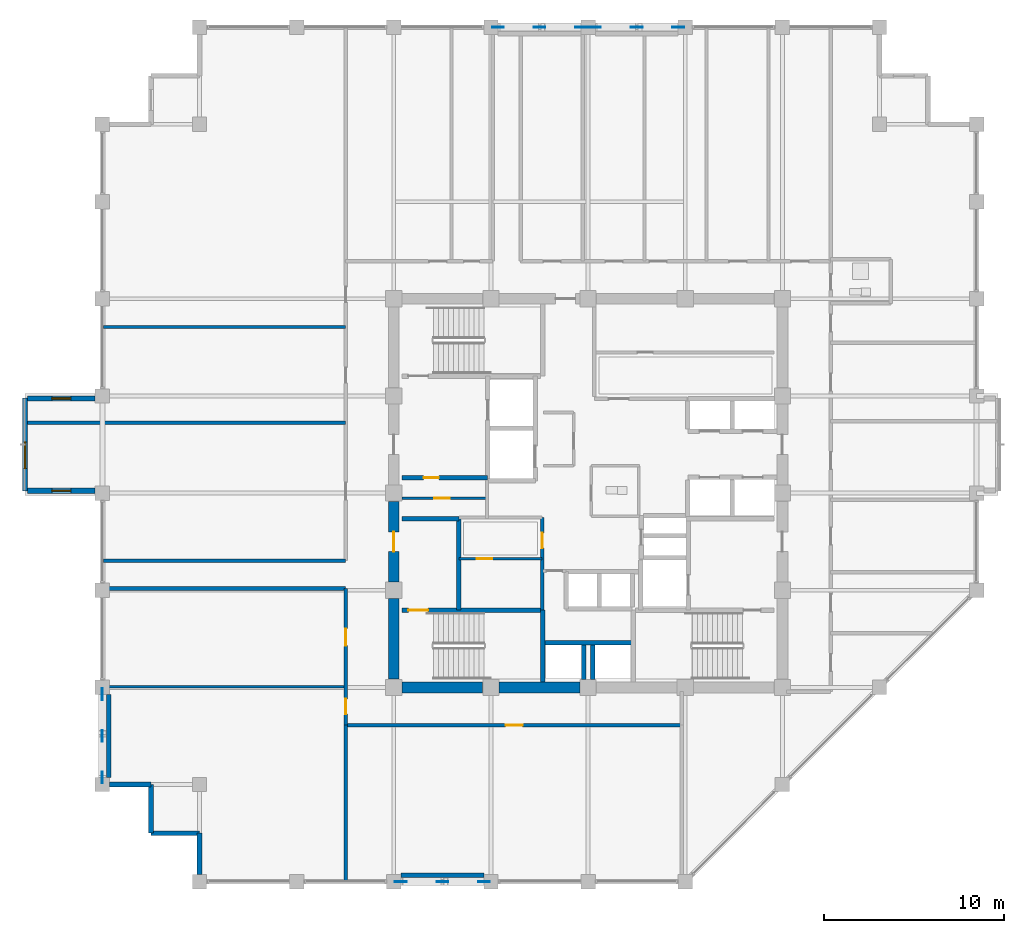
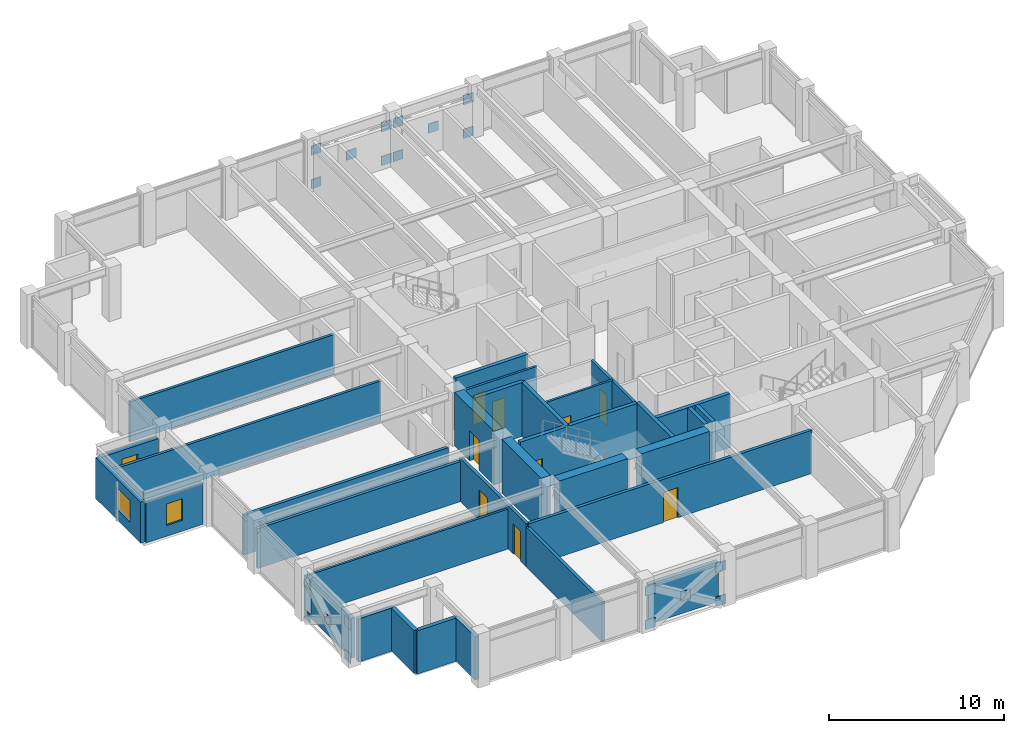
# One storey, part 22 of 28: 32 walls, 20 plates, 9 doors, 3 windows, 12 openings.
"""IFC4 building model written with IfcOpenShell, lengths in metres."""

from ifc_helpers import new_model, si_unit, direction, frame, frame_2d, origin, origin_2d, place, context, subcontext, project, spatial, rectangle, extrude, material, layer, layer_set, type_object, element, fill, save


model = new_model("IFC4")

# Units and contexts
model_context = context("Model", 3, precision=1e-05, world=origin(), true_north=direction((0.0, 1.0)))
body_context = subcontext(model_context, "Body", "Model", "MODEL_VIEW")
ifc_project = project(units=[si_unit("LENGTHUNIT", "METRE"), si_unit("AREAUNIT", "SQUARE_METRE"), si_unit("VOLUMEUNIT", "CUBIC_METRE"), si_unit("PLANEANGLEUNIT", "RADIAN"), si_unit("MASSUNIT", "GRAM", prefix="KILO")], contexts=[model_context])

# Site, building, storey
site_placement = place(None, origin())
site = spatial("IfcSite", under=ifc_project, at=site_placement, CompositionType="ELEMENT")
building_placement = place(site_placement, origin())
building = spatial("IfcBuilding", under=site, at=building_placement, Name="Surkhivell Harbour Commons", CompositionType="ELEMENT")
storey_placement = place(building_placement, frame((0.0, 0.0, 242.25)))
storey = spatial("IfcBuildingStorey", under=building, at=storey_placement, Name="L63", CompositionType="ELEMENT", Elevation=242.25)

# Plates
ifc_material_1 = material(Name="Steel S460", Category="steel")
ifc_layer_1 = layer(ifc_material_1, 0.044921875)
ifc_layer_set_1 = layer_set([ifc_layer_1], Name="Steel S460")
plate_type = type_object("IfcPlateType", Name="PLT-GUS-650", PredefinedType="USERDEFINED", material=ifc_layer_set_1)
for number, where, z_axis, x_axis, name in (
    (1, (-5.014892578125, 25.89990234375, -0.08935546875), (0.0, 0.0, 1.0), (1.0, 0.0, 0.0), "L63 Perimeter Mega-Brace MB- Corner Gusset N-1"),
    (2, (-0.385009765625, 25.89990234375, -0.08935546875), (0.0, 0.0, 1.0), (1.0, 0.0, 0.0), "L63 Perimeter Mega-Brace MB- Corner Gusset N-2"),
    (3, (-5.014892578125, 25.89990234375, 2.25146484375), (0.0, 0.0, 1.0), (1.0, 0.0, 0.0), "L63 Perimeter Mega-Brace MB- Corner Gusset N-3"),
    (4, (-0.385009765625, 25.89990234375, 2.25146484375), (0.0, 0.0, 1.0), (1.0, 0.0, 0.0), "L63 Perimeter Mega-Brace MB- Corner Gusset N-4"),
    (5, (-2.699951171875, 25.89990234375, 1.0810546875), (0.0, 0.0, 1.0), (1.0, 0.0, 0.0), "L63 Perimeter Mega-Brace MB- Central Crossing Gusset N"),
    (6, (0.385009765625, 25.89990234375, -0.08935546875), (0.0, 0.0, 1.0), (1.0, 0.0, 0.0), "L63 Perimeter Mega-Brace MB- Corner Gusset N2-1"),
    (7, (5.014892578125, 25.89990234375, -0.08935546875), (0.0, 0.0, 1.0), (1.0, 0.0, 0.0), "L63 Perimeter Mega-Brace MB- Corner Gusset N2-2"),
    (8, (0.385009765625, 25.89990234375, 2.25146484375), (0.0, 0.0, 1.0), (1.0, 0.0, 0.0), "L63 Perimeter Mega-Brace MB- Corner Gusset N2-3"),
    (9, (5.014892578125, 25.89990234375, 2.25146484375), (0.0, 0.0, 1.0), (1.0, 0.0, 0.0), "L63 Perimeter Mega-Brace MB- Corner Gusset N2-4"),
    (10, (2.699951171875, 25.89990234375, 1.0810546875), (0.0, 0.0, 1.0), (1.0, 0.0, 0.0), "L63 Perimeter Mega-Brace MB- Central Crossing Gusset N2"),
    (11, (-10.4150390625, -21.60009765625, -0.08935546875), (0.0, 0.0, 1.0), (1.0, 0.0, 0.0), "L63 Perimeter Mega-Brace MB- Corner Gusset S-1"),
    (12, (-5.784912109375, -21.60009765625, -0.08935546875), (0.0, 0.0, 1.0), (1.0, 0.0, 0.0), "L63 Perimeter Mega-Brace MB- Corner Gusset S-2"),
    (13, (-10.4150390625, -21.60009765625, 2.25146484375), (0.0, 0.0, 1.0), (1.0, 0.0, 0.0), "L63 Perimeter Mega-Brace MB- Corner Gusset S-3"),
    (14, (-5.784912109375, -21.60009765625, 2.25146484375), (0.0, 0.0, 1.0), (1.0, 0.0, 0.0), "L63 Perimeter Mega-Brace MB- Corner Gusset S-4"),
    (15, (-8.10009765625, -21.60009765625, 1.0810546875), (0.0, 0.0, 1.0), (1.0, 0.0, 0.0), "L63 Perimeter Mega-Brace MB- Central Crossing Gusset S"),
    (16, (-27.0, -15.81494140625, -0.08935546875), (0.0, 0.0, 1.0), (0.0, 1.0, 0.0), "L63 Perimeter Mega-Brace MB- Corner Gusset W-1"),
    (17, (-27.0, -11.18505859375, -0.08935546875), (0.0, 0.0, 1.0), (0.0, 1.0, 0.0), "L63 Perimeter Mega-Brace MB- Corner Gusset W-2"),
    (18, (-27.0, -15.81494140625, 2.25146484375), (0.0, 0.0, 1.0), (0.0, 1.0, 0.0), "L63 Perimeter Mega-Brace MB- Corner Gusset W-3"),
    (19, (-27.0, -11.18505859375, 2.25146484375), (0.0, 0.0, 1.0), (0.0, 1.0, 0.0), "L63 Perimeter Mega-Brace MB- Corner Gusset W-4"),
    (20, (-27.0, -13.5, 1.0810546875), (0.0, 0.0, 1.0), (0.0, 1.0, 0.0), "L63 Perimeter Mega-Brace MB- Central Crossing Gusset W"),
):
    element("IfcPlate", number, at=place(storey_placement, frame(where, z_axis=z_axis, x_axis=x_axis)), inside=storey, type_object=plate_type, Name=name, ObjectType="GUSSET_PLATE", PredefinedType="USERDEFINED", context=body_context, shape_type="SweptSolid", body=[
        extrude(rectangle(XDim=0.64990234375, YDim=0.044921875, at=origin_2d()), origin(), (0.0, 0.0, 1.0), 0.64990234375),
    ])

# Walls
ifc_material_2 = material(Name="Concrete C60/75", Category="concrete")
ifc_layer_2 = layer(ifc_material_2, 0.60009765625)
ifc_layer_set_2 = layer_set([ifc_layer_2], Name="Concrete C60/75")
wall_type_1 = type_object("IfcWallType", Name="WAL-CORE-600", PredefinedType="SHEAR", material=ifc_layer_set_2)
for number, where, z_axis, x_axis, name in (
    (21, (-10.340087890625, -10.800048828125, 0.0), (0.0, 0.0, 1.0), (1.0, 0.0, 0.0), "L63 Core Shear Wall South 1"),
    (22, (-10.800048828125, -10.340087890625, 0.0), (0.0, 0.0, 1.0), (0.0, 1.0, 0.0), "L63 Core Shear Wall West 1"),
    (23, (-4.93994140625, -10.800048828125, 0.0), (0.0, 0.0, 1.0), (1.0, 0.0, 0.0), "L63 Core Shear Wall South 2"),
):
    element("IfcWall", number, at=place(storey_placement, frame(where, z_axis=z_axis, x_axis=x_axis)), inside=storey, type_object=wall_type_1, Name=name, PredefinedType="SHEAR", context=body_context, shape_type="SweptSolid", body=[
        extrude(rectangle(XDim=4.47998046875, YDim=0.60009765625, at=frame_2d((2.239990234375, 0.0))), origin(), (0.0, 0.0, 1.0), 3.75),
    ])

# Wall, opening, door
wall_1_placement = place(storey_placement, frame((-10.800048828125, -4.93994140625, 0.0), z_axis=(0.0, 0.0, 1.0), x_axis=(0.0, 1.0, 0.0)))
wall_1 = element("IfcWall", 24, at=wall_1_placement, inside=storey, type_object=wall_type_1, Name="L63 Core Shear Wall West 2", PredefinedType="SHEAR", context=body_context, shape_type="SweptSolid", body=[
    extrude(rectangle(XDim=4.47998046875, YDim=0.60009765625, at=frame_2d((2.239990234375, 0.0))), origin(), (0.0, 0.0, 1.0), 3.75),
])
opening_1_placement = place(wall_1_placement, frame((1.68994140625, 0.0, 0.0)))
opening_1 = element("IfcOpeningElement", 25, at=opening_1_placement, cuts=wall_1, Name="Opening ID-2", PredefinedType="OPENING", context=body_context, shape_type="SweptSolid", body=[
    extrude(rectangle(XDim=1.10009765625, YDim=2.10009765625, at=frame_2d((0.550048828125, 1.050048828125))), frame((0.0, 0.31005859375, 0.0), z_axis=(0.0, -1.0, 0.0), x_axis=(1.0, 0.0, 0.0)), (0.0, 0.0, 1.0), 0.6201171875),
])
ifc_material_3 = material(Name="Hardwood-veneered fire-rated door leaf", Category="wood")
door_type_1 = type_object("IfcDoorType", Name="DOR-FD60-1100", OperationType="NOTDEFINED", PredefinedType="DOOR", material=ifc_material_3)
door_1_placement = place(opening_1_placement, origin())
door_1 = element("IfcDoor", 26, at=door_1_placement, inside=storey, type_object=door_type_1, Name="L63 Stair 3 Lobby Corridor Door", OperationType="SINGLE_SWING_LEFT", OverallHeight=2.10009765625, OverallWidth=1.10009765625, PredefinedType="DOOR", context=body_context, shape_type="SweptSolid", body=[
    extrude(rectangle(XDim=1.10009765625, YDim=2.10009765625, at=frame_2d((0.550048828125, 1.050048828125))), frame((0.0, 0.02490234375, 0.0), z_axis=(0.0, -1.0, 0.0), x_axis=(1.0, 0.0, 0.0)), (0.0, 0.0, 1.0), 0.050048828125),
])
fill(opening_1, door_1)

# Wall, opening, window
ifc_material_4 = material(Name="Flemish-bond kiln brick and precast concrete C45/55", Category="masonry")
ifc_layer_3 = layer(ifc_material_4, 0.300048828125)
ifc_layer_set_3 = layer_set([ifc_layer_3], Name="Flemish-bond kiln brick and precast concrete C45/55")
wall_type_2 = type_object("IfcWallType", Name="WAL-EXT-BRK300", PredefinedType="STANDARD", material=ifc_layer_set_3)
wall_2_placement = place(storey_placement, frame((-31.300048828125, 5.280029296875, 0.0), z_axis=(0.0, 0.0, 1.0), x_axis=(0.0, -1.0, 0.0)))
wall_2 = element("IfcWall", 27, at=wall_2_placement, inside=storey, type_object=wall_type_2, Name="L63 Coloured Box Front Wall 02", PredefinedType="STANDARD", context=body_context, shape_type="SweptSolid", body=[
    extrude(rectangle(XDim=5.159912109375, YDim=0.300048828125, at=frame_2d((2.580078125, 0.0))), origin(), (0.0, 0.0, 1.0), 2.85693359375),
])
opening_2_placement = place(wall_2_placement, frame((2.425048828125, 0.0, 0.75)))
opening_2 = element("IfcOpeningElement", 28, at=opening_2_placement, cuts=wall_2, Name="Opening WN-13", PredefinedType="OPENING", context=body_context, shape_type="SweptSolid", body=[
    extrude(rectangle(XDim=1.5, YDim=1.5, at=frame_2d((0.75, 0.75))), frame((0.0, 0.159912109375, 0.0), z_axis=(0.0, -1.0, 0.0), x_axis=(1.0, 0.0, 0.0)), (0.0, 0.0, 1.0), 0.320068359375),
])
ifc_material_5 = material(Name="Thermal-break aluminium frame and double low-E glazing", Category="aluminium")
window_type_1 = type_object("IfcWindowType", Name="WIN-BOX-1500x1500", PartitioningType="SINGLE_PANEL", PredefinedType="WINDOW", material=ifc_material_5)
window_1_placement = place(opening_2_placement, origin())
window_1 = element("IfcWindow", 29, at=window_1_placement, inside=storey, type_object=window_type_1, Name="L63 Coloured Box Square Window 02-1", OverallHeight=1.5, OverallWidth=1.5, PartitioningType="SINGLE_PANEL", PredefinedType="WINDOW", context=body_context, shape_type="SweptSolid", body=[
    extrude(rectangle(XDim=1.5, YDim=1.5, at=frame_2d((0.75, 0.75))), frame((0.0, 0.030029296875, 0.0), z_axis=(0.0, -1.0, 0.0), x_axis=(1.0, 0.0, 0.0)), (0.0, 0.0, 1.0), 0.06005859375),
])
fill(opening_2, window_1)

wall_3_placement = place(storey_placement, frame((-31.159912109375, 0.139892578125, 0.0), z_axis=(0.0, 0.0, 1.0), x_axis=(1.0, 0.0, 0.0)))
wall_3 = element("IfcWall", 30, at=wall_3_placement, inside=storey, type_object=wall_type_2, Name="L63 Coloured Box Return Wall 02S", PredefinedType="STANDARD", context=body_context, shape_type="SweptSolid", body=[
    extrude(rectangle(XDim=3.755859375, YDim=0.300048828125, at=frame_2d((1.8779296875, 0.0))), origin(), (0.0, 0.0, 1.0), 2.85693359375),
])
opening_3_placement = place(wall_3_placement, frame((1.35302734375, 0.0, 0.75)))
opening_3 = element("IfcOpeningElement", 31, at=opening_3_placement, cuts=wall_3, Name="Opening WN-11", PredefinedType="OPENING", context=body_context, shape_type="SweptSolid", body=[
    extrude(rectangle(XDim=1.050048828125, YDim=1.5, at=frame_2d((0.52490234375, 0.75))), frame((0.0, 0.159912109375, 0.0), z_axis=(0.0, -1.0, 0.0), x_axis=(1.0, 0.0, 0.0)), (0.0, 0.0, 1.0), 0.320068359375),
])
window_type_2 = type_object("IfcWindowType", Name="WIN-SER-1050x1500", PartitioningType="SINGLE_PANEL", PredefinedType="WINDOW", material=ifc_material_5)
window_2_placement = place(opening_3_placement, origin())
window_2 = element("IfcWindow", 32, at=window_2_placement, inside=storey, type_object=window_type_2, Name="L63 Coloured Box Return Window 02S", OverallHeight=1.5, OverallWidth=1.050048828125, PartitioningType="SINGLE_PANEL", PredefinedType="WINDOW", context=body_context, shape_type="SweptSolid", body=[
    extrude(rectangle(XDim=1.050048828125, YDim=1.5, at=frame_2d((0.52490234375, 0.75))), frame((0.0, 0.030029296875, 0.0), z_axis=(0.0, -1.0, 0.0), x_axis=(1.0, 0.0, 0.0)), (0.0, 0.0, 1.0), 0.06005859375),
])
fill(opening_3, window_2)

wall_4_placement = place(storey_placement, frame((-31.159912109375, 5.260009765625, 0.0), z_axis=(0.0, 0.0, 1.0), x_axis=(1.0, 0.0, 0.0)))
wall_4 = element("IfcWall", 33, at=wall_4_placement, inside=storey, type_object=wall_type_2, Name="L63 Coloured Box Return Wall 02N", PredefinedType="STANDARD", context=body_context, shape_type="SweptSolid", body=[
    extrude(rectangle(XDim=3.755859375, YDim=0.300048828125, at=frame_2d((1.8779296875, 0.0))), origin(), (0.0, 0.0, 1.0), 2.85693359375),
])
opening_4_placement = place(wall_4_placement, frame((1.35302734375, 0.0, 0.75)))
opening_4 = element("IfcOpeningElement", 34, at=opening_4_placement, cuts=wall_4, Name="Opening WN-11", PredefinedType="OPENING", context=body_context, shape_type="SweptSolid", body=[
    extrude(rectangle(XDim=1.050048828125, YDim=1.5, at=frame_2d((0.52490234375, 0.75))), frame((0.0, 0.159912109375, 0.0), z_axis=(0.0, -1.0, 0.0), x_axis=(1.0, 0.0, 0.0)), (0.0, 0.0, 1.0), 0.320068359375),
])
window_3_placement = place(opening_4_placement, origin())
window_3 = element("IfcWindow", 35, at=window_3_placement, inside=storey, type_object=window_type_2, Name="L63 Coloured Box Return Window 02N", OverallHeight=1.5, OverallWidth=1.050048828125, PartitioningType="SINGLE_PANEL", PredefinedType="WINDOW", context=body_context, shape_type="SweptSolid", body=[
    extrude(rectangle(XDim=1.050048828125, YDim=1.5, at=frame_2d((0.52490234375, 0.75))), frame((0.0, 0.030029296875, 0.0), z_axis=(0.0, -1.0, 0.0), x_axis=(1.0, 0.0, 0.0)), (0.0, 0.0, 1.0), 0.06005859375),
])
fill(opening_4, window_3)

# Walls
ifc_material_6 = material(Name="Pale-metal insulated precast concrete C45/55", Category="concrete")
ifc_layer_4 = layer(ifc_material_6, 0.260009765625)
ifc_layer_set_4 = layer_set([ifc_layer_4], Name="Pale-metal insulated precast concrete C45/55")
wall_type_3 = type_object("IfcWallType", Name="WAL-EXT-MTL260", PredefinedType="STANDARD", material=ifc_layer_set_4)
for number, where, z_axis, x_axis, name in (
    (36, (-10.402099609375, -21.239990234375, 0.0), (0.0, 0.0, 1.0), (1.0, 0.0, 0.0), "L63 Braced-Bay Insulated Spandrel Backing S"),
    (37, (-26.639892578125, -15.802001953125, 0.0), (0.0, 0.0, 1.0), (0.0, 1.0, 0.0), "L63 Braced-Bay Insulated Spandrel Backing W"),
):
    element("IfcWall", number, at=place(storey_placement, frame(where, z_axis=z_axis, x_axis=x_axis)), inside=storey, type_object=wall_type_3, Name=name, PredefinedType="STANDARD", context=body_context, shape_type="SweptSolid", body=[
        extrude(rectangle(XDim=4.60400390625, YDim=0.260009765625, at=frame_2d((2.302001953125, 0.0))), origin(), (0.0, 0.0, 1.0), 2.780029296875),
    ])
wall_5_placement = place(storey_placement, frame((-26.60205078125, -16.199951171875, 0.0), z_axis=(0.0, 0.0, 1.0), x_axis=(1.0, 0.0, 0.0)))
element("IfcWall", 38, at=wall_5_placement, inside=storey, type_object=wall_type_3, Name="L63 Serrated Corner Facade Wall 13", PredefinedType="STANDARD", context=body_context, shape_type="SweptSolid", body=[
    extrude(rectangle(XDim=2.302001953125, YDim=0.260009765625, at=frame_2d((1.15087890625, 0.0))), origin(), (0.0, 0.0, 1.0), 3.006103515625),
])
for number, where, z_axis, x_axis, name in (
    (39, (-24.300048828125, -16.199951171875, 0.0), (0.0, 0.0, 1.0), (0.0, -1.0, 0.0), "L63 Serrated Corner Facade Wall 14"),
    (40, (-24.300048828125, -18.89990234375, 0.0), (0.0, 0.0, 1.0), (1.0, 0.0, 0.0), "L63 Serrated Corner Facade Wall 15"),
):
    element("IfcWall", number, at=place(storey_placement, frame(where, z_axis=z_axis, x_axis=x_axis)), inside=storey, type_object=wall_type_3, Name=name, PredefinedType="STANDARD", context=body_context, shape_type="SweptSolid", body=[
        extrude(rectangle(XDim=2.699951171875, YDim=0.260009765625, at=frame_2d((1.35009765625, 0.0))), origin(), (0.0, 0.0, 1.0), 3.006103515625),
    ])
wall_6_placement = place(storey_placement, frame((-21.60009765625, -18.89990234375, 0.0), z_axis=(0.0, 0.0, 1.0), x_axis=(0.0, -1.0, 0.0)))
element("IfcWall", 41, at=wall_6_placement, inside=storey, type_object=wall_type_3, Name="L63 Serrated Corner Facade Wall 16", PredefinedType="STANDARD", context=body_context, shape_type="SweptSolid", body=[
    extrude(rectangle(XDim=2.302001953125, YDim=0.260009765625, at=frame_2d((1.15087890625, 0.0))), origin(), (0.0, 0.0, 1.0), 3.006103515625),
])

# Wall, opening, door
ifc_material_7 = material(Name="Twin-stud acoustic fireboard partition", Category="other")
ifc_layer_5 = layer(ifc_material_7, 0.14990234375)
ifc_layer_set_5 = layer_set([ifc_layer_5], Name="Twin-stud acoustic fireboard partition")
wall_type_4 = type_object("IfcWallType", Name="WAL-INT-150", PredefinedType="PARTITIONING", material=ifc_layer_set_5)
wall_7_placement = place(storey_placement, frame((-7.179931640625, -3.64990234375, 0.0), z_axis=(0.0, 0.0, 1.0), x_axis=(1.0, 0.0, 0.0)))
wall_7 = element("IfcWall", 42, at=wall_7_placement, inside=storey, type_object=wall_type_4, Name="L63 Core Cut C1 Partition", PredefinedType="PARTITIONING", context=body_context, shape_type="SweptSolid", body=[
    extrude(rectangle(XDim=4.6298828125, YDim=0.14990234375, at=frame_2d((2.31494140625, 0.0))), origin(), (0.0, 0.0, 1.0), 3.570068359375),
])
opening_5_placement = place(wall_7_placement, frame((1.0, 0.0, 0.0)))
opening_5 = element("IfcOpeningElement", 43, at=opening_5_placement, cuts=wall_7, Name="Opening ID-6", PredefinedType="OPENING", context=body_context, shape_type="SweptSolid", body=[
    extrude(rectangle(XDim=0.85009765625, YDim=2.10009765625, at=frame_2d((0.425048828125, 1.050048828125))), frame((0.0, 0.0849609375, 0.0), z_axis=(0.0, -1.0, 0.0), x_axis=(1.0, 0.0, 0.0)), (0.0, 0.0, 1.0), 0.169921875),
])
door_type_2 = type_object("IfcDoorType", Name="DOR-FD30-850", OperationType="NOTDEFINED", PredefinedType="DOOR", material=ifc_material_3)
door_2_placement = place(opening_5_placement, origin())
door_2 = element("IfcDoor", 44, at=door_2_placement, inside=storey, type_object=door_type_2, Name="L63 Cleaner Room Door", OperationType="SINGLE_SWING_LEFT", OverallHeight=2.10009765625, OverallWidth=0.85009765625, PredefinedType="DOOR", context=body_context, shape_type="SweptSolid", body=[
    extrude(rectangle(XDim=0.85009765625, YDim=2.10009765625, at=frame_2d((0.425048828125, 1.050048828125))), frame((0.0, 0.02490234375, 0.0), z_axis=(0.0, -1.0, 0.0), x_axis=(1.0, 0.0, 0.0)), (0.0, 0.0, 1.0), 0.050048828125),
])
fill(opening_5, door_2)

wall_8_placement = place(storey_placement, frame((-10.340087890625, -0.2900390625, 0.0), z_axis=(0.0, 0.0, 1.0), x_axis=(1.0, 0.0, 0.0)))
wall_8 = element("IfcWall", 45, at=wall_8_placement, inside=storey, type_object=wall_type_4, Name="L63 West Core Horizontal Cut", PredefinedType="PARTITIONING", context=body_context, shape_type="SweptSolid", body=[
    extrude(rectangle(XDim=4.719970703125, YDim=0.14990234375, at=frame_2d((2.35986328125, 0.0))), origin(), (0.0, 0.0, 1.0), 3.570068359375),
])
opening_6_placement = place(wall_8_placement, frame((1.800048828125, 0.0, 0.0)))
opening_6 = element("IfcOpeningElement", 46, at=opening_6_placement, cuts=wall_8, Name="Opening ID-6", PredefinedType="OPENING", context=body_context, shape_type="SweptSolid", body=[
    extrude(rectangle(XDim=0.85009765625, YDim=2.10009765625, at=frame_2d((0.425048828125, 1.050048828125))), frame((0.0, 0.0849609375, 0.0), z_axis=(0.0, -1.0, 0.0), x_axis=(1.0, 0.0, 0.0)), (0.0, 0.0, 1.0), 0.169921875),
])
door_3_placement = place(opening_6_placement, origin())
door_3 = element("IfcDoor", 47, at=door_3_placement, inside=storey, type_object=door_type_2, Name="L63 West Music Pod Door", OperationType="SINGLE_SWING_RIGHT", OverallHeight=2.10009765625, OverallWidth=0.85009765625, PredefinedType="DOOR", context=body_context, shape_type="SweptSolid", body=[
    extrude(rectangle(XDim=0.85009765625, YDim=2.10009765625, at=frame_2d((0.425048828125, 1.050048828125))), frame((0.0, 0.02490234375, 0.0), z_axis=(0.0, -1.0, 0.0), x_axis=(1.0, 0.0, 0.0)), (0.0, 0.0, 1.0), 0.050048828125),
])
fill(opening_6, door_3)

# Wall
wall_9_placement = place(storey_placement, frame((-26.93994140625, -10.77001953125, 0.0), z_axis=(0.0, 0.0, 1.0), x_axis=(1.0, 0.0, 0.0)))
element("IfcWall", 48, at=wall_9_placement, inside=storey, type_object=wall_type_4, Name="L63 South-West Partition P1", PredefinedType="PARTITIONING", context=body_context, shape_type="SweptSolid", body=[
    extrude(rectangle(XDim=13.4599609375, YDim=0.14990234375, at=frame_2d((6.72998046875, 0.0))), origin(), (0.0, 0.0, 1.0), 2.780029296875),
])

# Wall, opening, door
ifc_material_8 = material(Name="High-density acoustic blockwork fire partition", Category="masonry")
ifc_layer_6 = layer(ifc_material_8, 0.175048828125)
ifc_layer_set_6 = layer_set([ifc_layer_6], Name="High-density acoustic blockwork fire partition")
wall_type_5 = type_object("IfcWallType", Name="WAL-INT-175", PredefinedType="PARTITIONING", material=ifc_layer_set_6)
wall_10_placement = place(storey_placement, frame((-2.550048828125, -6.510009765625, 0.0), z_axis=(0.0, 0.0, 1.0), x_axis=(0.0, 1.0, 0.0)))
wall_10 = element("IfcWall", 49, at=wall_10_placement, inside=storey, type_object=wall_type_5, Name="L63 Core Service Bay East Wall", PredefinedType="PARTITIONING", context=body_context, shape_type="SweptSolid", body=[
    extrude(rectangle(XDim=5.159912109375, YDim=0.175048828125, at=frame_2d((2.580078125, 0.0))), origin(), (0.0, 0.0, 1.0), 3.570068359375),
])
opening_7_placement = place(wall_10_placement, frame((3.449951171875, 0.0, 0.0)))
opening_7 = element("IfcOpeningElement", 50, at=opening_7_placement, cuts=wall_10, Name="Opening ID-6", PredefinedType="OPENING", context=body_context, shape_type="SweptSolid", body=[
    extrude(rectangle(XDim=0.85009765625, YDim=2.10009765625, at=frame_2d((0.425048828125, 1.050048828125))), frame((0.0, 0.097412109375, 0.0), z_axis=(0.0, -1.0, 0.0), x_axis=(1.0, 0.0, 0.0)), (0.0, 0.0, 1.0), 0.195068359375),
])
door_4_placement = place(opening_7_placement, origin())
door_4 = element("IfcDoor", 51, at=door_4_placement, inside=storey, type_object=door_type_2, Name="L63 Core Seminar Door", OperationType="SINGLE_SWING_LEFT", OverallHeight=2.10009765625, OverallWidth=0.85009765625, PredefinedType="DOOR", context=body_context, shape_type="SweptSolid", body=[
    extrude(rectangle(XDim=0.85009765625, YDim=2.10009765625, at=frame_2d((0.425048828125, 1.050048828125))), frame((0.0, 0.02490234375, 0.0), z_axis=(0.0, -1.0, 0.0), x_axis=(1.0, 0.0, 0.0)), (0.0, 0.0, 1.0), 0.050048828125),
])
fill(opening_7, door_4)

# Walls
wall_11_placement = place(storey_placement, frame((-31.239990234375, 3.909912109375, 0.0), z_axis=(0.0, 0.0, 1.0), x_axis=(1.0, 0.0, 0.0)))
element("IfcWall", 52, at=wall_11_placement, inside=storey, type_object=wall_type_5, Name="L63 North-West Partition P1", PredefinedType="PARTITIONING", context=body_context, shape_type="SweptSolid", body=[
    extrude(rectangle(XDim=17.760009765625, YDim=0.175048828125, at=frame_2d((8.8798828125, 0.0))), origin(), (0.0, 0.0, 1.0), 2.780029296875),
])
wall_12_placement = place(storey_placement, frame((-26.93994140625, 9.239990234375, 0.0), z_axis=(0.0, 0.0, 1.0), x_axis=(1.0, 0.0, 0.0)))
element("IfcWall", 53, at=wall_12_placement, inside=storey, type_object=wall_type_5, Name="L63 North-West Partition P2", PredefinedType="PARTITIONING", context=body_context, shape_type="SweptSolid", body=[
    extrude(rectangle(XDim=13.4599609375, YDim=0.175048828125, at=frame_2d((6.72998046875, 0.0))), origin(), (0.0, 0.0, 1.0), 2.780029296875),
])
ifc_material_9 = material(Name="Autoclaved aerated concrete blockwork and fire plaster", Category="masonry")
ifc_layer_7 = layer(ifc_material_9, 0.199951171875)
ifc_layer_set_7 = layer_set([ifc_layer_7], Name="Autoclaved aerated concrete blockwork and fire plaster")
wall_type_6 = type_object("IfcWallType", Name="WAL-INT-200", PredefinedType="PARTITIONING", material=ifc_layer_set_7)
wall_13_placement = place(storey_placement, frame((-13.47998046875, -21.5400390625, 0.0), z_axis=(0.0, 0.0, 1.0), x_axis=(0.0, 1.0, 0.0)))
element("IfcWall", 54, at=wall_13_placement, inside=storey, type_object=wall_type_6, Name="L63 South-West Corner Wall", PredefinedType="PARTITIONING", context=body_context, shape_type="SweptSolid", body=[
    extrude(rectangle(XDim=8.64013671875, YDim=0.199951171875, at=frame_2d((4.320068359375, 0.0))), origin(), (0.0, 0.0, 1.0), 2.780029296875),
])

# Wall, opening, door
wall_14_placement = place(storey_placement, frame((-13.47998046875, -12.89990234375, 0.0), z_axis=(0.0, 0.0, 1.0), x_axis=(1.0, 0.0, 0.0)))
wall_14 = element("IfcWall", 55, at=wall_14_placement, inside=storey, type_object=wall_type_6, Name="L63 Corridor South Wall", PredefinedType="PARTITIONING", context=body_context, shape_type="SweptSolid", body=[
    extrude(rectangle(XDim=18.679931640625, YDim=0.199951171875, at=frame_2d((9.33984375, 0.0))), origin(), (0.0, 0.0, 1.0), 3.006103515625),
])
opening_8_placement = place(wall_14_placement, frame((8.889892578125, 0.0, 0.0)))
opening_8 = element("IfcOpeningElement", 56, at=opening_8_placement, cuts=wall_14, Name="Opening ID-4", PredefinedType="OPENING", context=body_context, shape_type="SweptSolid", body=[
    extrude(rectangle(XDim=0.949951171875, YDim=2.10009765625, at=frame_2d((0.47509765625, 1.050048828125))), frame((0.0, 0.10986328125, 0.0), z_axis=(0.0, -1.0, 0.0), x_axis=(1.0, 0.0, 0.0)), (0.0, 0.0, 1.0), 0.219970703125),
])
door_type_3 = type_object("IfcDoorType", Name="DOR-FD60-950", OperationType="NOTDEFINED", PredefinedType="DOOR", material=ifc_material_3)
door_5_placement = place(opening_8_placement, origin())
door_5 = element("IfcDoor", 57, at=door_5_placement, inside=storey, type_object=door_type_3, Name="L63 Open Academic Study Commons Reading Library South Door", OperationType="SINGLE_SWING_LEFT", OverallHeight=2.10009765625, OverallWidth=0.949951171875, PredefinedType="DOOR", context=body_context, shape_type="SweptSolid", body=[
    extrude(rectangle(XDim=0.949951171875, YDim=2.10009765625, at=frame_2d((0.47509765625, 1.050048828125))), frame((0.0, 0.02490234375, 0.0), z_axis=(0.0, -1.0, 0.0), x_axis=(1.0, 0.0, 0.0)), (0.0, 0.0, 1.0), 0.050048828125),
])
fill(opening_8, door_5)

# Walls
for number, where, z_axis, x_axis, name in (
    (58, (-26.93994140625, -3.75, 0.0), (0.0, 0.0, 1.0), (1.0, 0.0, 0.0), "L63 West Spur North Wall"),
    (59, (-26.93994140625, -5.300048828125, 0.0), (0.0, 0.0, 1.0), (1.0, 0.0, 0.0), "L63 West Spur South Wall"),
):
    element("IfcWall", number, at=place(storey_placement, frame(where, z_axis=z_axis, x_axis=x_axis)), inside=storey, type_object=wall_type_6, Name=name, PredefinedType="PARTITIONING", context=body_context, shape_type="SweptSolid", body=[
        extrude(rectangle(XDim=13.4599609375, YDim=0.199951171875, at=frame_2d((6.72998046875, 0.0))), origin(), (0.0, 0.0, 1.0), 2.780029296875),
    ])

# Wall, openings, doors
wall_15_placement = place(storey_placement, frame((-13.47998046875, -12.89990234375, 0.0), z_axis=(0.0, 0.0, 1.0), x_axis=(0.0, 1.0, 0.0)))
wall_15 = element("IfcWall", 60, at=wall_15_placement, inside=storey, type_object=wall_type_6, Name="L63 Corridor West-Lower Wall", PredefinedType="PARTITIONING", context=body_context, shape_type="SweptSolid", body=[
    extrude(rectangle(XDim=7.599853515625, YDim=0.199951171875, at=frame_2d((3.7998046875, 0.0))), origin(), (0.0, 0.0, 1.0), 3.006103515625),
])
opening_9_placement = place(wall_15_placement, frame((0.614990234375, 0.0, 0.0)))
opening_9 = element("IfcOpeningElement", 61, at=opening_9_placement, cuts=wall_15, Name="Opening ID-6", PredefinedType="OPENING", context=body_context, shape_type="SweptSolid", body=[
    extrude(rectangle(XDim=0.85009765625, YDim=2.10009765625, at=frame_2d((0.425048828125, 1.050048828125))), frame((0.0, 0.10986328125, 0.0), z_axis=(0.0, -1.0, 0.0), x_axis=(1.0, 0.0, 0.0)), (0.0, 0.0, 1.0), 0.219970703125),
])
opening_10_placement = place(wall_15_placement, frame((4.4150390625, 0.0, 0.0)))
opening_10 = element("IfcOpeningElement", 62, at=opening_10_placement, cuts=wall_15, Name="Opening ID-4", PredefinedType="OPENING", context=body_context, shape_type="SweptSolid", body=[
    extrude(rectangle(XDim=0.949951171875, YDim=2.10009765625, at=frame_2d((0.47509765625, 1.050048828125))), frame((0.0, 0.10986328125, 0.0), z_axis=(0.0, -1.0, 0.0), x_axis=(1.0, 0.0, 0.0)), (0.0, 0.0, 1.0), 0.219970703125),
])
door_6_placement = place(opening_9_placement, origin())
door_6 = element("IfcDoor", 63, at=door_6_placement, inside=storey, type_object=door_type_2, Name="L63 Shared Communal Kitchen A South-West Door", OperationType="SINGLE_SWING_LEFT", OverallHeight=2.10009765625, OverallWidth=0.85009765625, PredefinedType="DOOR", context=body_context, shape_type="SweptSolid", body=[
    extrude(rectangle(XDim=0.85009765625, YDim=2.10009765625, at=frame_2d((0.425048828125, 1.050048828125))), frame((0.0, 0.02490234375, 0.0), z_axis=(0.0, -1.0, 0.0), x_axis=(1.0, 0.0, 0.0)), (0.0, 0.0, 1.0), 0.050048828125),
])
fill(opening_9, door_6)
door_7_placement = place(opening_10_placement, origin())
door_7 = element("IfcDoor", 64, at=door_7_placement, inside=storey, type_object=door_type_3, Name="L63 Shared Communal Kitchen B South-West Door", OperationType="SINGLE_SWING_RIGHT", OverallHeight=2.10009765625, OverallWidth=0.949951171875, PredefinedType="DOOR", context=body_context, shape_type="SweptSolid", body=[
    extrude(rectangle(XDim=0.949951171875, YDim=2.10009765625, at=frame_2d((0.47509765625, 1.050048828125))), frame((0.0, 0.02490234375, 0.0), z_axis=(0.0, -1.0, 0.0), x_axis=(1.0, 0.0, 0.0)), (0.0, 0.0, 1.0), 0.050048828125),
])
fill(opening_10, door_7)

# Wall, opening, door
ifc_material_10 = material(Name="Concrete C50/60", Category="concrete")
ifc_layer_8 = layer(ifc_material_10, 0.25)
ifc_layer_set_8 = layer_set([ifc_layer_8], Name="Concrete C50/60")
wall_type_7 = type_object("IfcWallType", Name="WAL-SHAFT-250", PredefinedType="SHEAR", material=ifc_layer_set_8)
wall_16_placement = place(storey_placement, frame((-10.340087890625, 0.85009765625, 0.0), z_axis=(0.0, 0.0, 1.0), x_axis=(1.0, 0.0, 0.0)))
wall_16 = element("IfcWall", 65, at=wall_16_placement, inside=storey, type_object=wall_type_7, Name="L63 Firefighting Lobby 1 South Wall", PredefinedType="SHEAR", context=body_context, shape_type="SweptSolid", body=[
    extrude(rectangle(XDim=4.760009765625, YDim=0.25, at=frame_2d((2.3798828125, 0.0))), origin(), (0.0, 0.0, 1.0), 3.75),
])
opening_11_placement = place(wall_16_placement, frame((1.199951171875, 0.0, 0.0)))
opening_11 = element("IfcOpeningElement", 66, at=opening_11_placement, cuts=wall_16, Name="Opening ID-6", PredefinedType="OPENING", context=body_context, shape_type="SweptSolid", body=[
    extrude(rectangle(XDim=0.85009765625, YDim=2.10009765625, at=frame_2d((0.425048828125, 1.050048828125))), frame((0.0, 0.135009765625, 0.0), z_axis=(0.0, -1.0, 0.0), x_axis=(1.0, 0.0, 0.0)), (0.0, 0.0, 1.0), 0.27001953125),
])
door_8_placement = place(opening_11_placement, origin())
door_8 = element("IfcDoor", 67, at=door_8_placement, inside=storey, type_object=door_type_2, Name="L63 West Reading Alcove Door", OperationType="SINGLE_SWING_LEFT", OverallHeight=2.10009765625, OverallWidth=0.85009765625, PredefinedType="DOOR", context=body_context, shape_type="SweptSolid", body=[
    extrude(rectangle(XDim=0.85009765625, YDim=2.10009765625, at=frame_2d((0.425048828125, 1.050048828125))), frame((0.0, 0.02490234375, 0.0), z_axis=(0.0, -1.0, 0.0), x_axis=(1.0, 0.0, 0.0)), (0.0, 0.0, 1.0), 0.050048828125),
])
fill(opening_11, door_8)

# Walls
for number, where, z_axis, x_axis, name in (
    (68, (-0.25, -10.35009765625, 0.0), (0.0, 0.0, 1.0), (0.0, 1.0, 0.0), "L63 High-Rise Side Wall S"),
    (69, (0.25, -10.35009765625, 0.0), (0.0, 0.0, 1.0), (0.0, 1.0, 0.0), "L63 High-Rise Side Wall S"),
):
    element("IfcWall", number, at=place(storey_placement, frame(where, z_axis=z_axis, x_axis=x_axis)), inside=storey, type_object=wall_type_7, Name=name, PredefinedType="SHEAR", context=body_context, shape_type="SweptSolid", body=[
        extrude(rectangle(XDim=1.91015625, YDim=0.25, at=frame_2d((0.955078125, 0.0))), origin(), (0.0, 0.0, 1.0), 3.75),
    ])
wall_17_placement = place(storey_placement, frame((-2.47998046875, -8.320068359375, 0.0), z_axis=(0.0, 0.0, 1.0), x_axis=(1.0, 0.0, 0.0)))
element("IfcWall", 70, at=wall_17_placement, inside=storey, type_object=wall_type_7, Name="L63 High-Rise South Front Shaft Wall", PredefinedType="SHEAR", context=body_context, shape_type="SweptSolid", body=[
    extrude(rectangle(XDim=4.929931640625, YDim=0.25, at=frame_2d((2.46484375, 0.0))), origin(), (0.0, 0.0, 1.0), 3.75),
])
wall_18_placement = place(storey_placement, frame((-2.510009765625, -10.5, 0.0), z_axis=(0.0, 0.0, 1.0), x_axis=(0.0, 1.0, 0.0)))
element("IfcWall", 71, at=wall_18_placement, inside=storey, type_object=wall_type_7, Name="L63 Stair ST3 East Shear Wall", PredefinedType="SHEAR", context=body_context, shape_type="SweptSolid", body=[
    extrude(rectangle(XDim=3.989990234375, YDim=0.25, at=frame_2d((1.9951171875, 0.0))), origin(), (0.0, 0.0, 1.0), 3.75),
])
wall_19_placement = place(storey_placement, frame((-7.179931640625, -6.510009765625, 0.0), z_axis=(0.0, 0.0, 1.0), x_axis=(0.0, 1.0, 0.0)))
element("IfcWall", 72, at=wall_19_placement, inside=storey, type_object=wall_type_7, Name="L63 Stair 3 Lobby East Wall", PredefinedType="SHEAR", context=body_context, shape_type="SweptSolid", body=[
    extrude(rectangle(XDim=5.090087890625, YDim=0.25, at=frame_2d((2.544921875, 0.0))), origin(), (0.0, 0.0, 1.0), 3.75),
])
wall_20_placement = place(storey_placement, frame((-10.340087890625, -1.419921875, 0.0), z_axis=(0.0, 0.0, 1.0), x_axis=(1.0, 0.0, 0.0)))
element("IfcWall", 73, at=wall_20_placement, inside=storey, type_object=wall_type_7, Name="L63 Stair 3 Lobby North Wall", PredefinedType="SHEAR", context=body_context, shape_type="SweptSolid", body=[
    extrude(rectangle(XDim=3.16015625, YDim=0.25, at=frame_2d((1.580078125, 0.0))), origin(), (0.0, 0.0, 1.0), 3.75),
])

# Wall, opening, door
wall_21_placement = place(storey_placement, frame((-10.340087890625, -6.510009765625, 0.0), z_axis=(0.0, 0.0, 1.0), x_axis=(1.0, 0.0, 0.0)))
wall_21 = element("IfcWall", 74, at=wall_21_placement, inside=storey, type_object=wall_type_7, Name="L63 Stair ST3 North Shear Wall", PredefinedType="SHEAR", context=body_context, shape_type="SweptSolid", body=[
    extrude(rectangle(XDim=7.7001953125, YDim=0.25, at=frame_2d((3.85009765625, 0.0))), origin(), (0.0, 0.0, 1.0), 3.75),
])
opening_12_placement = place(wall_21_placement, frame((0.35009765625, 0.0, 0.0)))
opening_12 = element("IfcOpeningElement", 75, at=opening_12_placement, cuts=wall_21, Name="Opening ID-2", PredefinedType="OPENING", context=body_context, shape_type="SweptSolid", body=[
    extrude(rectangle(XDim=1.10009765625, YDim=2.10009765625, at=frame_2d((0.550048828125, 1.050048828125))), frame((0.0, 0.135009765625, 0.0), z_axis=(0.0, -1.0, 0.0), x_axis=(1.0, 0.0, 0.0)), (0.0, 0.0, 1.0), 0.27001953125),
])
door_9_placement = place(opening_12_placement, origin())
door_9 = element("IfcDoor", 76, at=door_9_placement, inside=storey, type_object=door_type_1, Name="L63 Stair ST3 Exit Door", OperationType="SINGLE_SWING_RIGHT", OverallHeight=2.10009765625, OverallWidth=1.10009765625, PredefinedType="DOOR", context=body_context, shape_type="SweptSolid", body=[
    extrude(rectangle(XDim=1.10009765625, YDim=2.10009765625, at=frame_2d((0.550048828125, 1.050048828125))), frame((0.0, 0.02490234375, 0.0), z_axis=(0.0, -1.0, 0.0), x_axis=(1.0, 0.0, 0.0)), (0.0, 0.0, 1.0), 0.050048828125),
])
fill(opening_12, door_9)

save(model, "model.ifc")
